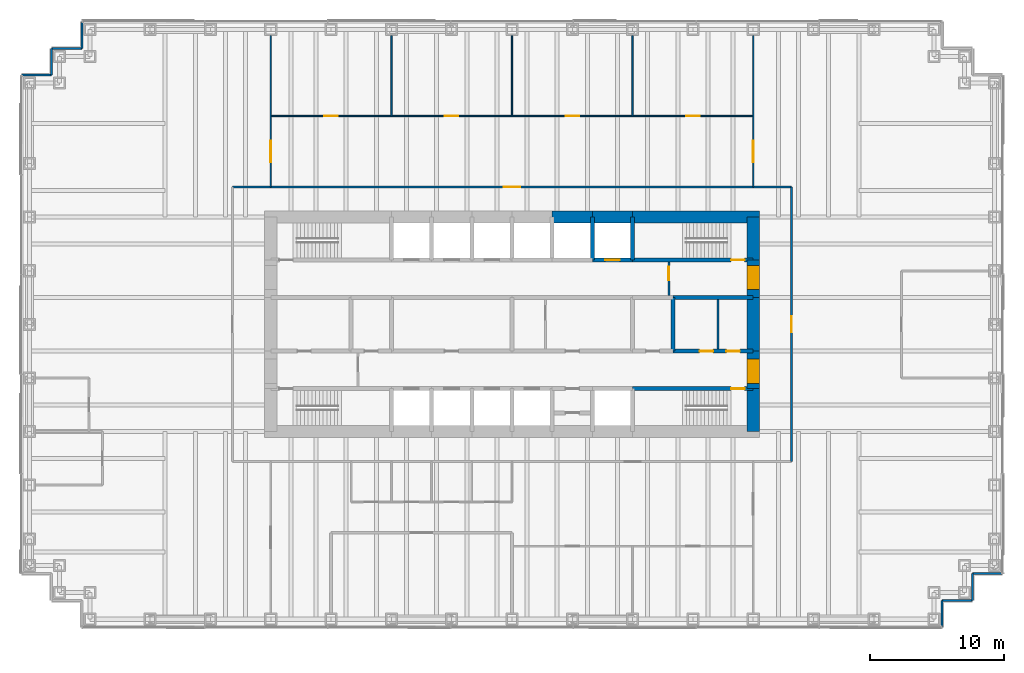
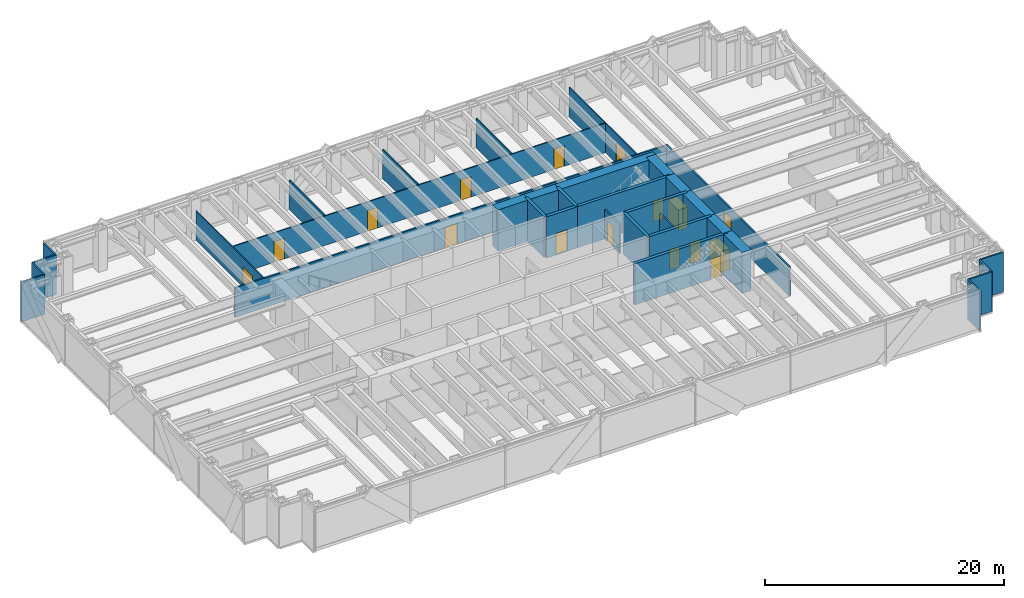
# One storey, part 13 of 15: 34 walls, 16 doors, 16 openings.
"""IFC4 building model written with IfcOpenShell, lengths in metres."""

import ifcopenshell
import ifcopenshell.guid

model = None  # the IFC model being written
_history = None  # IfcOwnerHistory: only IFC2X3 demands one
_inside = {}  # id of a spatial element -> (the spatial element, [elements in it])
_under = {}  # id of a project, library or spatial element -> (it, [spatial elements below it])
_declared = {}  # id of a project -> (the project, [libraries it declares])
_typed = {}  # id of a type object -> (the type object, [elements of that type])
_made_of = {}  # id of a material, layer set ... -> (it, [elements and type objects made of it])


def new_model(schema):
    """Start an empty IFC model of exactly this schema.

    Asked for "IFC4X3", IfcOpenShell would pick the latest addendum, in which some entities
    have other attributes; the version numbers below select the first issue.
    IFC2X3 requires an IfcOwnerHistory on every rooted entity: one is made here for all.
    """
    global model, _history
    if schema == "IFC4X3":
        model = ifcopenshell.file(schema_version=(4, 3, 0, 0))
    else:
        model = ifcopenshell.file(schema=schema)
    _inside.clear()
    _under.clear()
    _declared.clear()
    _typed.clear()
    _made_of.clear()
    _history = None
    if model.schema == "IFC2X3":
        org = make("IfcOrganization", Name="unknown")
        user = make(
            "IfcPersonAndOrganization",
            ThePerson=make("IfcPerson", FamilyName="unknown"),
            TheOrganization=org,
        )
        app = make(
            "IfcApplication",
            ApplicationDeveloper=org,
            Version="unknown",
            ApplicationFullName="unknown",
            ApplicationIdentifier="unknown",
        )
        _history = make(
            "IfcOwnerHistory",
            OwningUser=user,
            OwningApplication=app,
            ChangeAction="ADDED",
            CreationDate=0,
        )
    return model


def make(cls, **values):
    """One entity of the class cls with the attributes given. An attribute that is None is left unset."""
    return model.create_entity(
        cls, **{name: value for name, value in values.items() if value is not None}
    )


def rooted(cls, **values):
    """An entity with a GlobalId (a new one), such as an element, a storey or a relation."""
    return make(cls, GlobalId=ifcopenshell.guid.new(), OwnerHistory=_history, **values)


def si_unit(unit_type, name, prefix=None):
    """IfcSIUnit, for example si_unit("LENGTHUNIT", "METRE", prefix="MILLI")."""
    return make("IfcSIUnit", UnitType=unit_type, Prefix=prefix, Name=name)


def assignment(units):
    """IfcUnitAssignment: the units of a project."""
    return None if units is None else make("IfcUnitAssignment", Units=units)


def point(xyz):
    """IfcCartesianPoint."""
    return None if xyz is None else make("IfcCartesianPoint", Coordinates=xyz)


def direction(xyz):
    """IfcDirection."""
    return None if xyz is None else make("IfcDirection", DirectionRatios=xyz)


def frame(location, z_axis=None, x_axis=None):
    """IfcAxis2Placement3D, a coordinate frame: its origin and axes. An axis left out is left unset."""
    return make(
        "IfcAxis2Placement3D",
        Location=point(location),
        Axis=direction(z_axis),
        RefDirection=direction(x_axis),
    )


def frame_2d(location, x_axis=None):
    """IfcAxis2Placement2D, a coordinate frame in the plane: its origin and x axis."""
    return make(
        "IfcAxis2Placement2D", Location=point(location), RefDirection=direction(x_axis)
    )


def origin():
    """The frame at (0, 0, 0) with its axes left unset."""
    return frame((0.0, 0.0, 0.0))


def place(relative_to, where):
    """IfcLocalPlacement: puts the frame where relative to a parent placement (None: the world)."""
    return make(
        "IfcLocalPlacement", PlacementRelTo=relative_to, RelativePlacement=where
    )


def context(
    kind, dimensions, precision=None, world=None, true_north=None, identifier=None
):
    """IfcGeometricRepresentationContext, for example the 3D "Model" context."""
    return make(
        "IfcGeometricRepresentationContext",
        ContextIdentifier=identifier,
        ContextType=kind,
        CoordinateSpaceDimension=dimensions,
        Precision=precision,
        WorldCoordinateSystem=world,
        TrueNorth=true_north,
    )


def subcontext(parent, identifier, kind, view, scale=None):
    """IfcGeometricRepresentationSubContext, for example "Body" below "Model"."""
    return make(
        "IfcGeometricRepresentationSubContext",
        ContextIdentifier=identifier,
        ContextType=kind,
        ParentContext=parent,
        TargetScale=scale,
        TargetView=view,
    )


def project(units=None, contexts=None):
    """IfcProject with its units and contexts."""
    return rooted(
        "IfcProject",
        Name="project",
        RepresentationContexts=contexts,
        UnitsInContext=assignment(units),
    )


def spatial(cls, under=None, at=None, **own):
    """A site, building, storey or space (cls), placed at a placement, below another one or the project."""
    s = rooted(cls, ObjectPlacement=at, **own)
    if under is not None:
        _under.setdefault(under.id(), (under, []))[1].append(s)
    return s


def profile(cls, at=None, kind="AREA", **sizes):
    """A parametric profile (cls). Its sizes go by their IFC names, for example OverallWidth=200.0."""
    return make(cls, ProfileType=kind, Position=at, **sizes)


def rectangle(**sizes):
    """IfcRectangleProfileDef."""
    return profile("IfcRectangleProfileDef", **sizes)


def extrude(swept, where, along, depth):
    """IfcExtrudedAreaSolid: the profile swept, set in the frame where, extruded along a direction by depth."""
    return make(
        "IfcExtrudedAreaSolid",
        SweptArea=swept,
        Position=where,
        ExtrudedDirection=direction(along),
        Depth=depth,
    )


def shape(context_of_items, identifier, shape_type, items):
    """IfcShapeRepresentation: the items that make up one representation, for example the "Body"."""
    return make(
        "IfcShapeRepresentation",
        ContextOfItems=context_of_items,
        RepresentationIdentifier=identifier,
        RepresentationType=shape_type,
        Items=items,
    )


def material(Name=None, Category=None):
    """IfcMaterial."""
    return make("IfcMaterial", Name=Name, Category=Category)


def layer(
    of_material, thickness, ventilated=None, Name=None, Category=None, Priority=None
):
    """IfcMaterialLayer: one layer of a wall or slab, of a material (None: an air gap)."""
    return make(
        "IfcMaterialLayer",
        Material=of_material,
        LayerThickness=thickness,
        IsVentilated=ventilated,
        Name=Name,
        Category=Category,
        Priority=Priority,
    )


def layer_set(layers, Name=None):
    """IfcMaterialLayerSet."""
    return make("IfcMaterialLayerSet", MaterialLayers=layers, LayerSetName=Name)


def made_of(thing, what):
    """Note that an element or type object is made of a material, layer set ...; save() writes the relation."""
    if what is not None:
        _made_of.setdefault(what.id(), (what, []))[1].append(thing)
    return thing


def type_object(cls, material=None, **own):
    """A type object (cls), such as IfcWallType, which elements share."""
    return made_of(rooted(cls, **own), material)


def element(
    cls,
    number,
    at=None,
    inside=None,
    cuts=None,
    type_object=None,
    material=None,
    context=None,
    identifier="Body",
    shape_type=None,
    held_by="IfcProductDefinitionShape",
    body=None,
    shapes=None,
    **own,
):
    """One element of the class cls, such as IfcWall. Its Tag is "e" and its number.

    at: its placement. inside: the storey or other place that contains it. cuts: it is an
    opening in that element (IfcRelVoidsElement). A single representation is given by context,
    identifier, shape_type and body (its items); several are given by shapes. held_by: the class
    of the entity that holds the representations. save() writes the other relations.
    """
    e = rooted(cls, Tag="e%d" % number, ObjectPlacement=at, **own)
    if body is not None:
        shapes = [shape(context, identifier, shape_type, body)]
    if shapes is not None:
        e.Representation = make(held_by, Representations=shapes)
    if inside is not None:
        _inside.setdefault(inside.id(), (inside, []))[1].append(e)
    if cuts is not None:
        rooted(
            "IfcRelVoidsElement", RelatingBuildingElement=cuts, RelatedOpeningElement=e
        )
    if type_object is not None:
        _typed.setdefault(type_object.id(), (type_object, []))[1].append(e)
    return made_of(e, material)


def fill(opening, filler):
    """IfcRelFillsElement: the door or window that sits in an opening."""
    return rooted(
        "IfcRelFillsElement",
        RelatingOpeningElement=opening,
        RelatedBuildingElement=filler,
    )


def aggregate(whole, parts):
    """IfcRelAggregates: a whole, such as a stair, and the parts it consists of."""
    return rooted("IfcRelAggregates", RelatingObject=whole, RelatedObjects=parts)


def save(model, path):
    """Write the relations noted so far, then the file.

    IfcRelAggregates (storeys below a building ...), IfcRelContainedInSpatialStructure (elements
    in a storey), IfcRelDefinesByType, IfcRelAssociatesMaterial and IfcRelDeclares: one each for
    every whole, place, type object, material and project.
    """
    for whole, parts in _under.values():
        aggregate(whole, parts)
    for where, things in _inside.values():
        rooted(
            "IfcRelContainedInSpatialStructure",
            RelatedElements=things,
            RelatingStructure=where,
        )
    for kind, things in _typed.values():
        rooted("IfcRelDefinesByType", RelatedObjects=things, RelatingType=kind)
    for what, things in _made_of.values():
        rooted("IfcRelAssociatesMaterial", RelatedObjects=things, RelatingMaterial=what)
    for by, libraries in _declared.values():
        rooted("IfcRelDeclares", RelatingContext=by, RelatedDefinitions=libraries)
    model.write(path)


model = new_model("IFC4")

# Units and contexts
model_context = context("Model", 3, precision=1e-05, world=origin(), true_north=direction((0.0, 1.0)))
body_context = subcontext(model_context, "Body", "Model", "MODEL_VIEW")
ifc_project = project(units=[si_unit("LENGTHUNIT", "METRE"), si_unit("AREAUNIT", "SQUARE_METRE"), si_unit("VOLUMEUNIT", "CUBIC_METRE"), si_unit("PLANEANGLEUNIT", "RADIAN"), si_unit("MASSUNIT", "GRAM", prefix="KILO")], contexts=[model_context])

# Site, building, storey
site_placement = place(None, origin())
site = spatial("IfcSite", under=ifc_project, at=site_placement, CompositionType="ELEMENT")
building_placement = place(site_placement, origin())
building = spatial("IfcBuilding", under=site, at=building_placement, Name="Rheinbord Bourse Tower", CompositionType="ELEMENT")
storey_placement = place(building_placement, frame((0.0, 0.0, 117.300048828125)))
storey = spatial("IfcBuildingStorey", under=building, at=storey_placement, Name="L25", CompositionType="ELEMENT", Elevation=117.300048828125)

# Wall, opening, door
ifc_material_1 = material(Name="Concrete C50/60", Category="concrete")
ifc_layer_1 = layer(ifc_material_1, 0.300048828125)
ifc_layer_set_1 = layer_set([ifc_layer_1], Name="CORE INNER WALL 300")
wall_type_1 = type_object("IfcWallType", Name="CORE INNER WALL 300", PredefinedType="SOLIDWALL", material=ifc_layer_set_1)
wall_1_placement = place(storey_placement, frame((45.0, 19.199951171875, 0.0), z_axis=(0.0, 0.0, 1.0), x_axis=(1.0, 0.0, 0.0)))
wall_1 = element("IfcWall", 1, at=wall_1_placement, inside=storey, type_object=wall_type_1, Name="Core wall A8 L25", PredefinedType="SOLIDWALL", context=body_context, shape_type="SweptSolid", body=[
    extrude(rectangle(XDim=9.0, YDim=0.300048828125, at=frame_2d((4.5, 0.0))), origin(), (0.0, 0.0, 1.0), 4.199951171875),
])
opening_1_placement = place(wall_1_placement, frame((7.35009765625, 0.0, 0.0)))
opening_1 = element("IfcOpeningElement", 2, at=opening_1_placement, cuts=wall_1, Name="Opening 2530", PredefinedType="OPENING", context=body_context, shape_type="SweptSolid", body=[
    extrude(rectangle(XDim=1.0, YDim=2.10009765625, at=frame_2d((0.5, 1.050048828125))), frame((0.0, 0.159912109375, 0.0), z_axis=(0.0, -1.0, 0.0), x_axis=(1.0, 0.0, 0.0)), (0.0, 0.0, 1.0), 0.320068359375),
])
ifc_material_2 = material(Name="Steel door", Category="steel")
door_type_1 = type_object("IfcDoorType", Name="DOOR 1000 EI30", OperationType="SINGLE_SWING_LEFT", PredefinedType="DOOR", material=ifc_material_2)
door_1_placement = place(opening_1_placement, origin())
door_1 = element("IfcDoor", 3, at=door_1_placement, inside=storey, type_object=door_type_1, Name="Stair door ST3 L25", OperationType="SINGLE_SWING_RIGHT", OverallHeight=2.10009765625, OverallWidth=1.0, PredefinedType="DOOR", context=body_context, shape_type="SweptSolid", body=[
    extrude(rectangle(XDim=1.0, YDim=2.10009765625, at=frame_2d((0.5, 1.050048828125))), frame((0.0, 0.02490234375, 0.0), z_axis=(0.0, -1.0, 0.0), x_axis=(1.0, 0.0, 0.0)), (0.0, 0.0, 1.0), 0.050048828125),
])
fill(opening_1, door_1)

wall_2_placement = place(storey_placement, frame((42.0, 28.800048828125, 0.0), z_axis=(0.0, 0.0, 1.0), x_axis=(1.0, 0.0, 0.0)))
wall_2 = element("IfcWall", 4, at=wall_2_placement, inside=storey, type_object=wall_type_1, Name="Core wall B7 L25", PredefinedType="SOLIDWALL", context=body_context, shape_type="SweptSolid", body=[
    extrude(rectangle(XDim=3.0, YDim=0.300048828125, at=frame_2d((1.5, 0.0))), origin(), (0.0, 0.0, 1.0), 4.199951171875),
])
opening_2_placement = place(wall_2_placement, frame((0.949951171875, 0.0, 0.0)))
opening_2 = element("IfcOpeningElement", 5, at=opening_2_placement, cuts=wall_2, Name="Opening FL2", PredefinedType="OPENING", context=body_context, shape_type="SweptSolid", body=[
    extrude(rectangle(XDim=1.10009765625, YDim=2.199951171875, at=frame_2d((0.550048828125, 1.10009765625))), frame((0.0, 0.159912109375, 0.0), z_axis=(0.0, -1.0, 0.0), x_axis=(1.0, 0.0, 0.0)), (0.0, 0.0, 1.0), 0.320068359375),
])
ifc_material_3 = material(Name="Steel landing door", Category="steel")
door_type_2 = type_object("IfcDoorType", Name="LIFT LANDING DOOR 1100", OperationType="DOUBLE_DOOR_SLIDING", PredefinedType="USERDEFINED", material=ifc_material_3)
door_2_placement = place(opening_2_placement, origin())
door_2 = element("IfcDoor", 6, at=door_2_placement, inside=storey, type_object=door_type_2, Name="Lift landing door FL2 L25", ObjectType="LIFT LANDING DOOR", OperationType="DOUBLE_DOOR_SLIDING", OverallHeight=2.199951171875, OverallWidth=1.10009765625, PredefinedType="USERDEFINED", context=body_context, shape_type="SweptSolid", body=[
    extrude(rectangle(XDim=1.10009765625, YDim=2.199951171875, at=frame_2d((0.550048828125, 1.10009765625))), frame((0.0, 0.02490234375, 0.0), z_axis=(0.0, -1.0, 0.0), x_axis=(1.0, 0.0, 0.0)), (0.0, 0.0, 1.0), 0.050048828125),
])
fill(opening_2, door_2)

wall_3_placement = place(storey_placement, frame((45.0, 28.800048828125, 0.0), z_axis=(0.0, 0.0, 1.0), x_axis=(1.0, 0.0, 0.0)))
wall_3 = element("IfcWall", 7, at=wall_3_placement, inside=storey, type_object=wall_type_1, Name="Core wall B8 L25", PredefinedType="SOLIDWALL", context=body_context, shape_type="SweptSolid", body=[
    extrude(rectangle(XDim=9.0, YDim=0.300048828125, at=frame_2d((4.5, 0.0))), origin(), (0.0, 0.0, 1.0), 4.199951171875),
])
opening_3_placement = place(wall_3_placement, frame((7.35009765625, 0.0, 0.0)))
opening_3 = element("IfcOpeningElement", 8, at=opening_3_placement, cuts=wall_3, Name="Opening 2540", PredefinedType="OPENING", context=body_context, shape_type="SweptSolid", body=[
    extrude(rectangle(XDim=1.0, YDim=2.10009765625, at=frame_2d((0.5, 1.050048828125))), frame((0.0, 0.159912109375, 0.0), z_axis=(0.0, -1.0, 0.0), x_axis=(1.0, 0.0, 0.0)), (0.0, 0.0, 1.0), 0.320068359375),
])
door_3_placement = place(opening_3_placement, origin())
door_3 = element("IfcDoor", 9, at=door_3_placement, inside=storey, type_object=door_type_1, Name="Stair door ST4 L25", OperationType="SINGLE_SWING_RIGHT", OverallHeight=2.10009765625, OverallWidth=1.0, PredefinedType="DOOR", context=body_context, shape_type="SweptSolid", body=[
    extrude(rectangle(XDim=1.0, YDim=2.10009765625, at=frame_2d((0.5, 1.050048828125))), frame((0.0, 0.02490234375, 0.0), z_axis=(0.0, -1.0, 0.0), x_axis=(1.0, 0.0, 0.0)), (0.0, 0.0, 1.0), 0.050048828125),
])
fill(opening_3, door_3)

# Wall, openings, doors
wall_4_placement = place(storey_placement, frame((48.0, 22.0, 0.0), z_axis=(0.0, 0.0, 1.0), x_axis=(1.0, 0.0, 0.0)))
wall_4 = element("IfcWall", 10, at=wall_4_placement, inside=storey, type_object=wall_type_1, Name="Core wall C6 L25", PredefinedType="SOLIDWALL", context=body_context, shape_type="SweptSolid", body=[
    extrude(rectangle(XDim=6.0, YDim=0.300048828125, at=frame_2d((3.0, 0.0))), origin(), (0.0, 0.0, 1.0), 4.199951171875),
])
opening_4_placement = place(wall_4_placement, frame((2.0, 0.0, 0.0)))
opening_4 = element("IfcOpeningElement", 11, at=opening_4_placement, cuts=wall_4, Name="Opening 25R6", PredefinedType="OPENING", context=body_context, shape_type="SweptSolid", body=[
    extrude(rectangle(XDim=1.0, YDim=2.10009765625, at=frame_2d((0.5, 1.050048828125))), frame((0.0, 0.159912109375, 0.0), z_axis=(0.0, -1.0, 0.0), x_axis=(1.0, 0.0, 0.0)), (0.0, 0.0, 1.0), 0.320068359375),
])
opening_5_placement = place(wall_4_placement, frame((4.0, 0.0, 0.0)))
opening_5 = element("IfcOpeningElement", 12, at=opening_5_placement, cuts=wall_4, Name="Opening 25R10", PredefinedType="OPENING", context=body_context, shape_type="SweptSolid", body=[
    extrude(rectangle(XDim=1.0, YDim=2.10009765625, at=frame_2d((0.5, 1.050048828125))), frame((0.0, 0.159912109375, 0.0), z_axis=(0.0, -1.0, 0.0), x_axis=(1.0, 0.0, 0.0)), (0.0, 0.0, 1.0), 0.320068359375),
])
door_4_placement = place(opening_5_placement, origin())
door_4 = element("IfcDoor", 13, at=door_4_placement, inside=storey, type_object=door_type_1, Name="Baby change door L25", OperationType="SINGLE_SWING_RIGHT", OverallHeight=2.10009765625, OverallWidth=1.0, PredefinedType="DOOR", context=body_context, shape_type="SweptSolid", body=[
    extrude(rectangle(XDim=1.0, YDim=2.10009765625, at=frame_2d((0.5, 1.050048828125))), frame((0.0, 0.02490234375, 0.0), z_axis=(0.0, -1.0, 0.0), x_axis=(1.0, 0.0, 0.0)), (0.0, 0.0, 1.0), 0.050048828125),
])
fill(opening_5, door_4)
ifc_material_4 = material(Name="Timber door", Category="wood")
door_type_3 = type_object("IfcDoorType", Name="DOOR 1000 WC", OperationType="SINGLE_SWING_LEFT", PredefinedType="DOOR", material=ifc_material_4)
door_5_placement = place(opening_4_placement, origin())
door_5 = element("IfcDoor", 14, at=door_5_placement, inside=storey, type_object=door_type_3, Name="WC women door L25", OperationType="SINGLE_SWING_LEFT", OverallHeight=2.10009765625, OverallWidth=1.0, PredefinedType="DOOR", context=body_context, shape_type="SweptSolid", body=[
    extrude(rectangle(XDim=1.0, YDim=2.10009765625, at=frame_2d((0.5, 1.050048828125))), frame((0.0, 0.02490234375, 0.0), z_axis=(0.0, -1.0, 0.0), x_axis=(1.0, 0.0, 0.0)), (0.0, 0.0, 1.0), 0.050048828125),
])
fill(opening_4, door_5)

# Walls
wall_5_placement = place(storey_placement, frame((48.0, 26.0, 0.0), z_axis=(0.0, 0.0, 1.0), x_axis=(1.0, 0.0, 0.0)))
element("IfcWall", 15, at=wall_5_placement, inside=storey, type_object=wall_type_1, Name="Core wall D6 L25", PredefinedType="SOLIDWALL", context=body_context, shape_type="SweptSolid", body=[
    extrude(rectangle(XDim=6.0, YDim=0.300048828125, at=frame_2d((3.0, 0.0))), origin(), (0.0, 0.0, 1.0), 4.199951171875),
])
for number, where, z_axis, x_axis, name in (
    (16, (42.0, 28.800048828125, 0.0), (0.0, 0.0, 1.0), (0.0, 1.0, 0.0), "Core wall NX42 L25"),
    (17, (45.0, 28.800048828125, 0.0), (0.0, 0.0, 1.0), (0.0, 1.0, 0.0), "Core wall NX45 L25"),
):
    element("IfcWall", number, at=place(storey_placement, frame(where, z_axis=z_axis, x_axis=x_axis)), inside=storey, type_object=wall_type_1, Name=name, PredefinedType="SOLIDWALL", context=body_context, shape_type="SweptSolid", body=[
        extrude(rectangle(XDim=3.199951171875, YDim=0.300048828125, at=frame_2d((1.60009765625, 0.0))), origin(), (0.0, 0.0, 1.0), 4.199951171875),
    ])
wall_6_placement = place(storey_placement, frame((48.0, 22.0, 0.0), z_axis=(0.0, 0.0, 1.0), x_axis=(0.0, 1.0, 0.0)))
element("IfcWall", 18, at=wall_6_placement, inside=storey, type_object=wall_type_1, Name="Core wall MX48 L25", PredefinedType="SOLIDWALL", context=body_context, shape_type="SweptSolid", body=[
    extrude(rectangle(XDim=4.0, YDim=0.300048828125, at=frame_2d((2.0, 0.0))), origin(), (0.0, 0.0, 1.0), 4.199951171875),
])
ifc_material_5 = material(Name="Gypsum board fire partition", Category="gypsum board")
ifc_layer_2 = layer(ifc_material_5, 0.14990234375)
ifc_layer_set_2 = layer_set([ifc_layer_2], Name="CORE PARTITION 150 EI30")
wall_type_2 = type_object("IfcWallType", Name="CORE PARTITION 150 EI30", PredefinedType="PARTITIONING", material=ifc_layer_set_2)
wall_7_placement = place(storey_placement, frame((51.375, 22.14990234375, 0.0), z_axis=(0.0, 0.0, 1.0), x_axis=(0.0, 1.0, 0.0)))
element("IfcWall", 19, at=wall_7_placement, inside=storey, type_object=wall_type_2, Name="Core partition L25-3", PredefinedType="PARTITIONING", context=body_context, shape_type="SweptSolid", body=[
    extrude(rectangle(XDim=3.7001953125, YDim=0.14990234375, at=frame_2d((1.85009765625, 0.0))), origin(), (0.0, 0.0, 1.0), 3.0),
])

# Wall, opening, door
wall_8_placement = place(storey_placement, frame((47.699951171875, 26.14990234375, 0.0), z_axis=(0.0, 0.0, 1.0), x_axis=(0.0, 1.0, 0.0)))
wall_8 = element("IfcWall", 20, at=wall_8_placement, inside=storey, type_object=wall_type_2, Name="Core partition L25-5", PredefinedType="PARTITIONING", context=body_context, shape_type="SweptSolid", body=[
    extrude(rectangle(XDim=2.5, YDim=0.14990234375, at=frame_2d((1.25, 0.0))), origin(), (0.0, 0.0, 1.0), 3.0),
])
opening_6_placement = place(wall_8_placement, frame((1.14990234375, 0.0, 0.0)))
opening_6 = element("IfcOpeningElement", 21, at=opening_6_placement, cuts=wall_8, Name="Opening 25L6", PredefinedType="OPENING", context=body_context, shape_type="SweptSolid", body=[
    extrude(rectangle(XDim=1.0, YDim=2.10009765625, at=frame_2d((0.5, 1.050048828125))), frame((0.0, 0.0849609375, 0.0), z_axis=(0.0, -1.0, 0.0), x_axis=(1.0, 0.0, 0.0)), (0.0, 0.0, 1.0), 0.169921875),
])
door_6_placement = place(opening_6_placement, origin())
door_6 = element("IfcDoor", 22, at=door_6_placement, inside=storey, type_object=door_type_1, Name="Stair lobby door L25", OperationType="SINGLE_SWING_RIGHT", OverallHeight=2.10009765625, OverallWidth=1.0, PredefinedType="DOOR", context=body_context, shape_type="SweptSolid", body=[
    extrude(rectangle(XDim=1.0, YDim=2.10009765625, at=frame_2d((0.5, 1.050048828125))), frame((0.0, 0.02490234375, 0.0), z_axis=(0.0, -1.0, 0.0), x_axis=(1.0, 0.0, 0.0)), (0.0, 0.0, 1.0), 0.050048828125),
])
fill(opening_6, door_6)

# Walls
ifc_material_6 = material(Name="Concrete C50/60", Category="concrete")
ifc_layer_3 = layer(ifc_material_6, 0.89990234375)
ifc_layer_set_3 = layer_set([ifc_layer_3], Name="CORE WALL 900")
wall_type_3 = type_object("IfcWallType", Name="CORE WALL 900", PredefinedType="SHEAR", material=ifc_layer_set_3)
wall_9_placement = place(storey_placement, frame((54.449951171875, 32.0, 0.0), z_axis=(0.0, 0.0, 1.0), x_axis=(-1.0, 0.0, 0.0)))
element("IfcWall", 23, at=wall_9_placement, inside=storey, type_object=wall_type_3, Name="Core wall N1 L25", PredefinedType="SHEAR", context=body_context, shape_type="SweptSolid", body=[
    extrude(rectangle(XDim=9.449951171875, YDim=0.89990234375, at=frame_2d((4.72509765625, 0.0))), origin(), (0.0, 0.0, 1.0), 4.199951171875),
])
for number, where, z_axis, x_axis, name in (
    (24, (45.0, 32.0, 0.0), (0.0, 0.0, 1.0), (-1.0, 0.0, 0.0), "Core wall N2 L25"),
    (25, (42.0, 32.0, 0.0), (0.0, 0.0, 1.0), (-1.0, 0.0, 0.0), "Core wall N3 L25"),
):
    element("IfcWall", number, at=place(storey_placement, frame(where, z_axis=z_axis, x_axis=x_axis)), inside=storey, type_object=wall_type_3, Name=name, PredefinedType="SHEAR", context=body_context, shape_type="SweptSolid", body=[
        extrude(rectangle(XDim=3.0, YDim=0.89990234375, at=frame_2d((1.5, 0.0))), origin(), (0.0, 0.0, 1.0), 4.199951171875),
    ])
wall_10_placement = place(storey_placement, frame((54.0, 16.0, 0.0), z_axis=(0.0, 0.0, 1.0), x_axis=(0.0, 1.0, 0.0)))
element("IfcWall", 26, at=wall_10_placement, inside=storey, type_object=wall_type_3, Name="Core wall E1 L25", PredefinedType="SHEAR", context=body_context, shape_type="SweptSolid", body=[
    extrude(rectangle(XDim=3.199951171875, YDim=0.89990234375, at=frame_2d((1.60009765625, 0.0))), origin(), (0.0, 0.0, 1.0), 4.199951171875),
])

# Wall, opening, door
wall_11_placement = place(storey_placement, frame((54.0, 19.199951171875, 0.0), z_axis=(0.0, 0.0, 1.0), x_axis=(0.0, 1.0, 0.0)))
wall_11 = element("IfcWall", 27, at=wall_11_placement, inside=storey, type_object=wall_type_3, Name="Core wall E2 L25", PredefinedType="SHEAR", context=body_context, shape_type="SweptSolid", body=[
    extrude(rectangle(XDim=2.800048828125, YDim=0.89990234375, at=frame_2d((1.39990234375, 0.0))), origin(), (0.0, 0.0, 1.0), 4.199951171875),
])
opening_7_placement = place(wall_11_placement, frame((0.39990234375, 0.0, 0.0)))
opening_7 = element("IfcOpeningElement", 28, at=opening_7_placement, cuts=wall_11, Name="Opening 25L3", PredefinedType="OPENING", context=body_context, shape_type="SweptSolid", body=[
    extrude(rectangle(XDim=1.800048828125, YDim=2.10009765625, at=frame_2d((0.89990234375, 1.050048828125))), frame((0.0, 0.4599609375, 0.0), z_axis=(0.0, -1.0, 0.0), x_axis=(1.0, 0.0, 0.0)), (0.0, 0.0, 1.0), 0.919921875),
])
ifc_material_7 = material(Name="Steel door", Category="steel")
door_type_4 = type_object("IfcDoorType", Name="DOOR 1800 EI30 DOUBLE", OperationType="DOUBLE_DOOR_DOUBLE_SWING", PredefinedType="DOOR", material=ifc_material_7)
door_7_placement = place(opening_7_placement, origin())
door_7 = element("IfcDoor", 29, at=door_7_placement, inside=storey, type_object=door_type_4, Name="Lobby door 3 L25", OperationType="SINGLE_SWING_LEFT", OverallHeight=2.10009765625, OverallWidth=1.800048828125, PredefinedType="DOOR", context=body_context, shape_type="SweptSolid", body=[
    extrude(rectangle(XDim=1.800048828125, YDim=2.10009765625, at=frame_2d((0.89990234375, 1.050048828125))), frame((0.0, 0.44970703125, 0.0), z_axis=(0.0, -1.0, 0.0), x_axis=(1.0, 0.0, 0.0)), (0.0, 0.0, 1.0), 0.8994140625),
])
fill(opening_7, door_7)

# Wall
wall_12_placement = place(storey_placement, frame((54.0, 22.0, 0.0), z_axis=(0.0, 0.0, 1.0), x_axis=(0.0, 1.0, 0.0)))
element("IfcWall", 30, at=wall_12_placement, inside=storey, type_object=wall_type_3, Name="Core wall E3 L25", PredefinedType="SHEAR", context=body_context, shape_type="SweptSolid", body=[
    extrude(rectangle(XDim=4.0, YDim=0.89990234375, at=frame_2d((2.0, 0.0))), origin(), (0.0, 0.0, 1.0), 4.199951171875),
])

# Wall, opening, door
wall_13_placement = place(storey_placement, frame((54.0, 26.0, 0.0), z_axis=(0.0, 0.0, 1.0), x_axis=(0.0, 1.0, 0.0)))
wall_13 = element("IfcWall", 31, at=wall_13_placement, inside=storey, type_object=wall_type_3, Name="Core wall E4 L25", PredefinedType="SHEAR", context=body_context, shape_type="SweptSolid", body=[
    extrude(rectangle(XDim=2.800048828125, YDim=0.89990234375, at=frame_2d((1.39990234375, 0.0))), origin(), (0.0, 0.0, 1.0), 4.199951171875),
])
opening_8_placement = place(wall_13_placement, frame((0.60009765625, 0.0, 0.0)))
opening_8 = element("IfcOpeningElement", 32, at=opening_8_placement, cuts=wall_13, Name="Opening 25L4", PredefinedType="OPENING", context=body_context, shape_type="SweptSolid", body=[
    extrude(rectangle(XDim=1.800048828125, YDim=2.10009765625, at=frame_2d((0.89990234375, 1.050048828125))), frame((0.0, 0.4599609375, 0.0), z_axis=(0.0, -1.0, 0.0), x_axis=(1.0, 0.0, 0.0)), (0.0, 0.0, 1.0), 0.919921875),
])
door_8_placement = place(opening_8_placement, origin())
door_8 = element("IfcDoor", 33, at=door_8_placement, inside=storey, type_object=door_type_4, Name="Lobby door 4 L25", OperationType="SINGLE_SWING_LEFT", OverallHeight=2.10009765625, OverallWidth=1.800048828125, PredefinedType="DOOR", context=body_context, shape_type="SweptSolid", body=[
    extrude(rectangle(XDim=1.800048828125, YDim=2.10009765625, at=frame_2d((0.89990234375, 1.050048828125))), frame((0.0, 0.44970703125, 0.0), z_axis=(0.0, -1.0, 0.0), x_axis=(1.0, 0.0, 0.0)), (0.0, 0.0, 1.0), 0.8994140625),
])
fill(opening_8, door_8)

# Walls
wall_14_placement = place(storey_placement, frame((54.0, 28.800048828125, 0.0), z_axis=(0.0, 0.0, 1.0), x_axis=(0.0, 1.0, 0.0)))
element("IfcWall", 34, at=wall_14_placement, inside=storey, type_object=wall_type_3, Name="Core wall E5 L25", PredefinedType="SHEAR", context=body_context, shape_type="SweptSolid", body=[
    extrude(rectangle(XDim=3.199951171875, YDim=0.89990234375, at=frame_2d((1.60009765625, 0.0))), origin(), (0.0, 0.0, 1.0), 4.199951171875),
])
ifc_material_8 = material(Name="Black metal rainscreen panel", Category="aluminium")
ifc_layer_4 = layer(ifc_material_8, 0.14990234375)
ifc_layer_set_4 = layer_set([ifc_layer_4], Name="CORNER PIER CLADDING 150")
wall_type_4 = type_object("IfcWallType", Name="CORNER PIER CLADDING 150", PredefinedType="ELEMENTEDWALL", material=ifc_layer_set_4)
wall_15_placement = place(storey_placement, frame((68.10009765625, 1.39990234375, 0.0), z_axis=(0.0, 0.0, 1.0), x_axis=(0.0, 1.0, 0.0)))
element("IfcWall", 35, at=wall_15_placement, inside=storey, type_object=wall_type_4, Name="Corner pier cladding L25 2", PredefinedType="ELEMENTEDWALL", context=body_context, shape_type="SweptSolid", body=[
    extrude(rectangle(XDim=2.0, YDim=0.14990234375, at=frame_2d((1.0, 0.0))), origin(), (0.0, 0.0, 1.0), 4.0400390625),
])
wall_16_placement = place(storey_placement, frame((68.10009765625, 3.39990234375, 0.0), z_axis=(0.0, 0.0, 1.0), x_axis=(1.0, 0.0, 0.0)))
element("IfcWall", 36, at=wall_16_placement, inside=storey, type_object=wall_type_4, Name="Corner pier cladding L25 3", PredefinedType="ELEMENTEDWALL", context=body_context, shape_type="SweptSolid", body=[
    extrude(rectangle(XDim=2.25, YDim=0.14990234375, at=frame_2d((1.125, 0.0))), origin(), (0.0, 0.0, 1.0), 4.0400390625),
])
wall_17_placement = place(storey_placement, frame((70.35009765625, 3.39990234375, 0.0), z_axis=(0.0, 0.0, 1.0), x_axis=(0.0, 1.0, 0.0)))
element("IfcWall", 37, at=wall_17_placement, inside=storey, type_object=wall_type_4, Name="Corner pier cladding L25 4", PredefinedType="ELEMENTEDWALL", context=body_context, shape_type="SweptSolid", body=[
    extrude(rectangle(XDim=2.0, YDim=0.14990234375, at=frame_2d((1.0, 0.0))), origin(), (0.0, 0.0, 1.0), 4.0400390625),
])
wall_18_placement = place(storey_placement, frame((70.35009765625, 5.39990234375, 0.0), z_axis=(0.0, 0.0, 1.0), x_axis=(1.0, 0.0, 0.0)))
element("IfcWall", 38, at=wall_18_placement, inside=storey, type_object=wall_type_4, Name="Corner pier cladding L25 5", PredefinedType="ELEMENTEDWALL", context=body_context, shape_type="SweptSolid", body=[
    extrude(rectangle(XDim=2.25, YDim=0.14990234375, at=frame_2d((1.125, 0.0))), origin(), (0.0, 0.0, 1.0), 4.0400390625),
])
wall_19_placement = place(storey_placement, frame((3.89990234375, 46.60009765625, 0.0), z_axis=(0.0, 0.0, 1.0), x_axis=(0.0, -1.0, 0.0)))
element("IfcWall", 39, at=wall_19_placement, inside=storey, type_object=wall_type_4, Name="Corner pier cladding L25 12", PredefinedType="ELEMENTEDWALL", context=body_context, shape_type="SweptSolid", body=[
    extrude(rectangle(XDim=2.0, YDim=0.14990234375, at=frame_2d((1.0, 0.0))), origin(), (0.0, 0.0, 1.0), 4.0400390625),
])
wall_20_placement = place(storey_placement, frame((3.89990234375, 44.60009765625, 0.0), z_axis=(0.0, 0.0, 1.0), x_axis=(-1.0, 0.0, 0.0)))
element("IfcWall", 40, at=wall_20_placement, inside=storey, type_object=wall_type_4, Name="Corner pier cladding L25 13", PredefinedType="ELEMENTEDWALL", context=body_context, shape_type="SweptSolid", body=[
    extrude(rectangle(XDim=2.25, YDim=0.14990234375, at=frame_2d((1.125, 0.0))), origin(), (0.0, 0.0, 1.0), 4.0400390625),
])
wall_21_placement = place(storey_placement, frame((1.64990234375, 44.60009765625, 0.0), z_axis=(0.0, 0.0, 1.0), x_axis=(0.0, -1.0, 0.0)))
element("IfcWall", 41, at=wall_21_placement, inside=storey, type_object=wall_type_4, Name="Corner pier cladding L25 14", PredefinedType="ELEMENTEDWALL", context=body_context, shape_type="SweptSolid", body=[
    extrude(rectangle(XDim=2.0, YDim=0.14990234375, at=frame_2d((1.0, 0.0))), origin(), (0.0, 0.0, 1.0), 4.0400390625),
])
wall_22_placement = place(storey_placement, frame((1.64990234375, 42.60009765625, 0.0), z_axis=(0.0, 0.0, 1.0), x_axis=(-1.0, 0.0, 0.0)))
element("IfcWall", 42, at=wall_22_placement, inside=storey, type_object=wall_type_4, Name="Corner pier cladding L25 15", PredefinedType="ELEMENTEDWALL", context=body_context, shape_type="SweptSolid", body=[
    extrude(rectangle(XDim=2.25, YDim=0.14990234375, at=frame_2d((1.125, 0.0))), origin(), (0.0, 0.0, 1.0), 4.0400390625),
])

# Wall, opening, door
ifc_material_9 = material(Name="Gypsum board corridor partition", Category="gypsum board")
ifc_layer_5 = layer(ifc_material_9, 0.14990234375)
ifc_layer_set_5 = layer_set([ifc_layer_5], Name="CORRIDOR PARTITION 150 EI30")
wall_type_5 = type_object("IfcWallType", Name="CORRIDOR PARTITION 150 EI30", PredefinedType="PARTITIONING", material=ifc_layer_set_5)
wall_23_placement = place(storey_placement, frame((15.14990234375, 34.25, 0.0), z_axis=(0.0, 0.0, 1.0), x_axis=(1.0, 0.0, 0.0)))
wall_23 = element("IfcWall", 43, at=wall_23_placement, inside=storey, type_object=wall_type_5, Name="Partition L25-10", PredefinedType="PARTITIONING", context=body_context, shape_type="SweptSolid", body=[
    extrude(rectangle(XDim=41.7001953125, YDim=0.14990234375, at=frame_2d((20.85009765625, 0.0))), origin(), (0.0, 0.0, 1.0), 3.0),
])
opening_9_placement = place(wall_23_placement, frame((20.25, 0.0, 0.0)))
opening_9 = element("IfcOpeningElement", 44, at=opening_9_placement, cuts=wall_23, Name="Opening 25D22", PredefinedType="OPENING", context=body_context, shape_type="SweptSolid", body=[
    extrude(rectangle(XDim=1.199951171875, YDim=2.10009765625, at=frame_2d((0.60009765625, 1.050048828125))), frame((0.0, 0.0849609375, 0.0), z_axis=(0.0, -1.0, 0.0), x_axis=(1.0, 0.0, 0.0)), (0.0, 0.0, 1.0), 0.169921875),
])
ifc_material_10 = material(Name="Timber fire door", Category="wood")
door_type_5 = type_object("IfcDoorType", Name="SUITE ENTRANCE DOOR 1200 EI30", OperationType="SINGLE_SWING_LEFT", PredefinedType="DOOR", material=ifc_material_10)
door_9_placement = place(opening_9_placement, origin())
door_9 = element("IfcDoor", 45, at=door_9_placement, inside=storey, type_object=door_type_5, Name="Suite entrance 4 door L25", OperationType="SINGLE_SWING_LEFT", OverallHeight=2.10009765625, OverallWidth=1.199951171875, PredefinedType="DOOR", context=body_context, shape_type="SweptSolid", body=[
    extrude(rectangle(XDim=1.199951171875, YDim=2.10009765625, at=frame_2d((0.60009765625, 1.050048828125))), frame((0.0, 0.02490234375, 0.0), z_axis=(0.0, -1.0, 0.0), x_axis=(1.0, 0.0, 0.0)), (0.0, 0.0, 1.0), 0.050048828125),
])
fill(opening_9, door_9)

wall_24_placement = place(storey_placement, frame((56.85009765625, 13.75, 0.0), z_axis=(0.0, 0.0, 1.0), x_axis=(0.0, 1.0, 0.0)))
wall_24 = element("IfcWall", 46, at=wall_24_placement, inside=storey, type_object=wall_type_5, Name="Partition L25-30", PredefinedType="PARTITIONING", context=body_context, shape_type="SweptSolid", body=[
    extrude(rectangle(XDim=20.5, YDim=0.14990234375, at=frame_2d((10.25, 0.0))), origin(), (0.0, 0.0, 1.0), 3.0),
])
opening_10_placement = place(wall_24_placement, frame((9.64990234375, 0.0, 0.0)))
opening_10 = element("IfcOpeningElement", 47, at=opening_10_placement, cuts=wall_24, Name="Opening 25D20", PredefinedType="OPENING", context=body_context, shape_type="SweptSolid", body=[
    extrude(rectangle(XDim=1.199951171875, YDim=2.10009765625, at=frame_2d((0.60009765625, 1.050048828125))), frame((0.0, 0.0849609375, 0.0), z_axis=(0.0, -1.0, 0.0), x_axis=(1.0, 0.0, 0.0)), (0.0, 0.0, 1.0), 0.169921875),
])
door_10_placement = place(opening_10_placement, origin())
door_10 = element("IfcDoor", 48, at=door_10_placement, inside=storey, type_object=door_type_5, Name="Suite entrance 2 door L25", OperationType="SINGLE_SWING_LEFT", OverallHeight=2.10009765625, OverallWidth=1.199951171875, PredefinedType="DOOR", context=body_context, shape_type="SweptSolid", body=[
    extrude(rectangle(XDim=1.199951171875, YDim=2.10009765625, at=frame_2d((0.60009765625, 1.050048828125))), frame((0.0, 0.02490234375, 0.0), z_axis=(0.0, -1.0, 0.0), x_axis=(1.0, 0.0, 0.0)), (0.0, 0.0, 1.0), 0.050048828125),
])
fill(opening_10, door_10)

# Wall, openings, doors
ifc_material_11 = material(Name="Toughened laminated glass partition", Category="glass")
ifc_layer_6 = layer(ifc_material_11, 0.10009765625)
ifc_layer_set_6 = layer_set([ifc_layer_6], Name="GLAZED PARTITION 100")
wall_type_6 = type_object("IfcWallType", Name="GLAZED PARTITION 100", PredefinedType="PARTITIONING", material=ifc_layer_set_6)
wall_25_placement = place(storey_placement, frame((18.0, 39.550048828125, 0.0), z_axis=(0.0, 0.0, 1.0), x_axis=(1.0, 0.0, 0.0)))
wall_25 = element("IfcWall", 49, at=wall_25_placement, inside=storey, type_object=wall_type_6, Name="Partition L25-11", PredefinedType="PARTITIONING", context=body_context, shape_type="SweptSolid", body=[
    extrude(rectangle(XDim=36.0, YDim=0.10009765625, at=frame_2d((18.0, 0.0))), origin(), (0.0, 0.0, 1.0), 3.0),
])
opening_11_placement = place(wall_25_placement, frame((4.0, 0.0, 0.0)))
opening_11 = element("IfcOpeningElement", 50, at=opening_11_placement, cuts=wall_25, Name="Opening 25D11", PredefinedType="OPENING", context=body_context, shape_type="SweptSolid", body=[
    extrude(rectangle(XDim=1.0, YDim=2.10009765625, at=frame_2d((0.5, 1.050048828125))), frame((0.0, 0.06005859375, 0.0), z_axis=(0.0, -1.0, 0.0), x_axis=(1.0, 0.0, 0.0)), (0.0, 0.0, 1.0), 0.1201171875),
])
opening_12_placement = place(wall_25_placement, frame((13.0, 0.0, 0.0)))
opening_12 = element("IfcOpeningElement", 51, at=opening_12_placement, cuts=wall_25, Name="Opening 25D12", PredefinedType="OPENING", context=body_context, shape_type="SweptSolid", body=[
    extrude(rectangle(XDim=1.0, YDim=2.10009765625, at=frame_2d((0.5, 1.050048828125))), frame((0.0, 0.06005859375, 0.0), z_axis=(0.0, -1.0, 0.0), x_axis=(1.0, 0.0, 0.0)), (0.0, 0.0, 1.0), 0.1201171875),
])
opening_13_placement = place(wall_25_placement, frame((22.0, 0.0, 0.0)))
opening_13 = element("IfcOpeningElement", 52, at=opening_13_placement, cuts=wall_25, Name="Opening 25D13", PredefinedType="OPENING", context=body_context, shape_type="SweptSolid", body=[
    extrude(rectangle(XDim=1.0, YDim=2.10009765625, at=frame_2d((0.5, 1.050048828125))), frame((0.0, 0.06005859375, 0.0), z_axis=(0.0, -1.0, 0.0), x_axis=(1.0, 0.0, 0.0)), (0.0, 0.0, 1.0), 0.1201171875),
])
opening_14_placement = place(wall_25_placement, frame((31.0, 0.0, 0.0)))
opening_14 = element("IfcOpeningElement", 53, at=opening_14_placement, cuts=wall_25, Name="Opening 25D14", PredefinedType="OPENING", context=body_context, shape_type="SweptSolid", body=[
    extrude(rectangle(XDim=1.0, YDim=2.10009765625, at=frame_2d((0.5, 1.050048828125))), frame((0.0, 0.06005859375, 0.0), z_axis=(0.0, -1.0, 0.0), x_axis=(1.0, 0.0, 0.0)), (0.0, 0.0, 1.0), 0.1201171875),
])
ifc_material_12 = material(Name="Timber door", Category="wood")
door_type_6 = type_object("IfcDoorType", Name="ROOM DOOR 1000", OperationType="SINGLE_SWING_LEFT", PredefinedType="DOOR", material=ifc_material_12)
door_11_placement = place(opening_11_placement, origin())
door_11 = element("IfcDoor", 54, at=door_11_placement, inside=storey, type_object=door_type_6, Name="Team room door L25", OperationType="SINGLE_SWING_LEFT", OverallHeight=2.10009765625, OverallWidth=1.0, PredefinedType="DOOR", context=body_context, shape_type="SweptSolid", body=[
    extrude(rectangle(XDim=1.0, YDim=2.10009765625, at=frame_2d((0.5, 1.050048828125))), frame((0.0, 0.02490234375, 0.0), z_axis=(0.0, -1.0, 0.0), x_axis=(1.0, 0.0, 0.0)), (0.0, 0.0, 1.0), 0.050048828125),
])
fill(opening_11, door_11)
door_12_placement = place(opening_12_placement, origin())
door_12 = element("IfcDoor", 55, at=door_12_placement, inside=storey, type_object=door_type_6, Name="Team room door L25", OperationType="SINGLE_SWING_LEFT", OverallHeight=2.10009765625, OverallWidth=1.0, PredefinedType="DOOR", context=body_context, shape_type="SweptSolid", body=[
    extrude(rectangle(XDim=1.0, YDim=2.10009765625, at=frame_2d((0.5, 1.050048828125))), frame((0.0, 0.02490234375, 0.0), z_axis=(0.0, -1.0, 0.0), x_axis=(1.0, 0.0, 0.0)), (0.0, 0.0, 1.0), 0.050048828125),
])
fill(opening_12, door_12)
door_13_placement = place(opening_13_placement, origin())
door_13 = element("IfcDoor", 56, at=door_13_placement, inside=storey, type_object=door_type_6, Name="Team room door L25", OperationType="SINGLE_SWING_RIGHT", OverallHeight=2.10009765625, OverallWidth=1.0, PredefinedType="DOOR", context=body_context, shape_type="SweptSolid", body=[
    extrude(rectangle(XDim=1.0, YDim=2.10009765625, at=frame_2d((0.5, 1.050048828125))), frame((0.0, 0.02490234375, 0.0), z_axis=(0.0, -1.0, 0.0), x_axis=(1.0, 0.0, 0.0)), (0.0, 0.0, 1.0), 0.050048828125),
])
fill(opening_13, door_13)
door_14_placement = place(opening_14_placement, origin())
door_14 = element("IfcDoor", 57, at=door_14_placement, inside=storey, type_object=door_type_6, Name="Team room door L25", OperationType="SINGLE_SWING_RIGHT", OverallHeight=2.10009765625, OverallWidth=1.0, PredefinedType="DOOR", context=body_context, shape_type="SweptSolid", body=[
    extrude(rectangle(XDim=1.0, YDim=2.10009765625, at=frame_2d((0.5, 1.050048828125))), frame((0.0, 0.02490234375, 0.0), z_axis=(0.0, -1.0, 0.0), x_axis=(1.0, 0.0, 0.0)), (0.0, 0.0, 1.0), 0.050048828125),
])
fill(opening_14, door_14)

# Wall, opening, door
wall_26_placement = place(storey_placement, frame((18.0, 34.25, 0.0), z_axis=(0.0, 0.0, 1.0), x_axis=(0.0, 1.0, 0.0)))
wall_26 = element("IfcWall", 58, at=wall_26_placement, inside=storey, type_object=wall_type_6, Name="Partition L25-16", PredefinedType="PARTITIONING", context=body_context, shape_type="SweptSolid", body=[
    extrude(rectangle(XDim=11.300048828125, YDim=0.10009765625, at=frame_2d((5.64990234375, 0.0))), origin(), (0.0, 0.0, 1.0), 3.0),
])
opening_15_placement = place(wall_26_placement, frame((1.85009765625, 0.0, 0.0)))
opening_15 = element("IfcOpeningElement", 59, at=opening_15_placement, cuts=wall_26, Name="Opening 25D16", PredefinedType="OPENING", context=body_context, shape_type="SweptSolid", body=[
    extrude(rectangle(XDim=1.60009765625, YDim=2.10009765625, at=frame_2d((0.800048828125, 1.050048828125))), frame((0.0, 0.06005859375, 0.0), z_axis=(0.0, -1.0, 0.0), x_axis=(1.0, 0.0, 0.0)), (0.0, 0.0, 1.0), 0.1201171875),
])
ifc_material_13 = material(Name="Timber door", Category="wood")
door_type_7 = type_object("IfcDoorType", Name="DOUBLE ROOM DOOR 1600", OperationType="DOUBLE_DOOR_DOUBLE_SWING", PredefinedType="DOOR", material=ifc_material_13)
door_15_placement = place(opening_15_placement, origin())
door_15 = element("IfcDoor", 60, at=door_15_placement, inside=storey, type_object=door_type_7, Name="Open area door L25", OperationType="SINGLE_SWING_LEFT", OverallHeight=2.10009765625, OverallWidth=1.60009765625, PredefinedType="DOOR", context=body_context, shape_type="SweptSolid", body=[
    extrude(rectangle(XDim=1.60009765625, YDim=2.10009765625, at=frame_2d((0.800048828125, 1.050048828125))), frame((0.0, 0.02490234375, 0.0), z_axis=(0.0, -1.0, 0.0), x_axis=(1.0, 0.0, 0.0)), (0.0, 0.0, 1.0), 0.050048828125),
])
fill(opening_15, door_15)

# Walls
for number, where, z_axis, x_axis, name in (
    (61, (27.0, 39.550048828125, 0.0), (0.0, 0.0, 1.0), (0.0, 1.0, 0.0), "Partition L25-20"),
    (62, (36.0, 39.550048828125, 0.0), (0.0, 0.0, 1.0), (0.0, 1.0, 0.0), "Partition L25-25"),
    (63, (45.0, 39.550048828125, 0.0), (0.0, 0.0, 1.0), (0.0, 1.0, 0.0), "Partition L25-27"),
):
    element("IfcWall", number, at=place(storey_placement, frame(where, z_axis=z_axis, x_axis=x_axis)), inside=storey, type_object=wall_type_6, Name=name, PredefinedType="PARTITIONING", context=body_context, shape_type="SweptSolid", body=[
        extrude(rectangle(XDim=6.0, YDim=0.10009765625, at=frame_2d((3.0, 0.0))), origin(), (0.0, 0.0, 1.0), 3.0),
    ])

# Wall, opening, door
wall_27_placement = place(storey_placement, frame((54.0, 34.25, 0.0), z_axis=(0.0, 0.0, 1.0), x_axis=(0.0, 1.0, 0.0)))
wall_27 = element("IfcWall", 64, at=wall_27_placement, inside=storey, type_object=wall_type_6, Name="Partition L25-29", PredefinedType="PARTITIONING", context=body_context, shape_type="SweptSolid", body=[
    extrude(rectangle(XDim=11.300048828125, YDim=0.10009765625, at=frame_2d((5.64990234375, 0.0))), origin(), (0.0, 0.0, 1.0), 3.0),
])
opening_16_placement = place(wall_27_placement, frame((1.85009765625, 0.0, 0.0)))
opening_16 = element("IfcOpeningElement", 65, at=opening_16_placement, cuts=wall_27, Name="Opening 25D18", PredefinedType="OPENING", context=body_context, shape_type="SweptSolid", body=[
    extrude(rectangle(XDim=1.60009765625, YDim=2.10009765625, at=frame_2d((0.800048828125, 1.050048828125))), frame((0.0, 0.06005859375, 0.0), z_axis=(0.0, -1.0, 0.0), x_axis=(1.0, 0.0, 0.0)), (0.0, 0.0, 1.0), 0.1201171875),
])
door_16_placement = place(opening_16_placement, origin())
door_16 = element("IfcDoor", 66, at=door_16_placement, inside=storey, type_object=door_type_7, Name="Open area door L25", OperationType="SINGLE_SWING_LEFT", OverallHeight=2.10009765625, OverallWidth=1.60009765625, PredefinedType="DOOR", context=body_context, shape_type="SweptSolid", body=[
    extrude(rectangle(XDim=1.60009765625, YDim=2.10009765625, at=frame_2d((0.800048828125, 1.050048828125))), frame((0.0, 0.02490234375, 0.0), z_axis=(0.0, -1.0, 0.0), x_axis=(1.0, 0.0, 0.0)), (0.0, 0.0, 1.0), 0.050048828125),
])
fill(opening_16, door_16)

save(model, "model.ifc")
